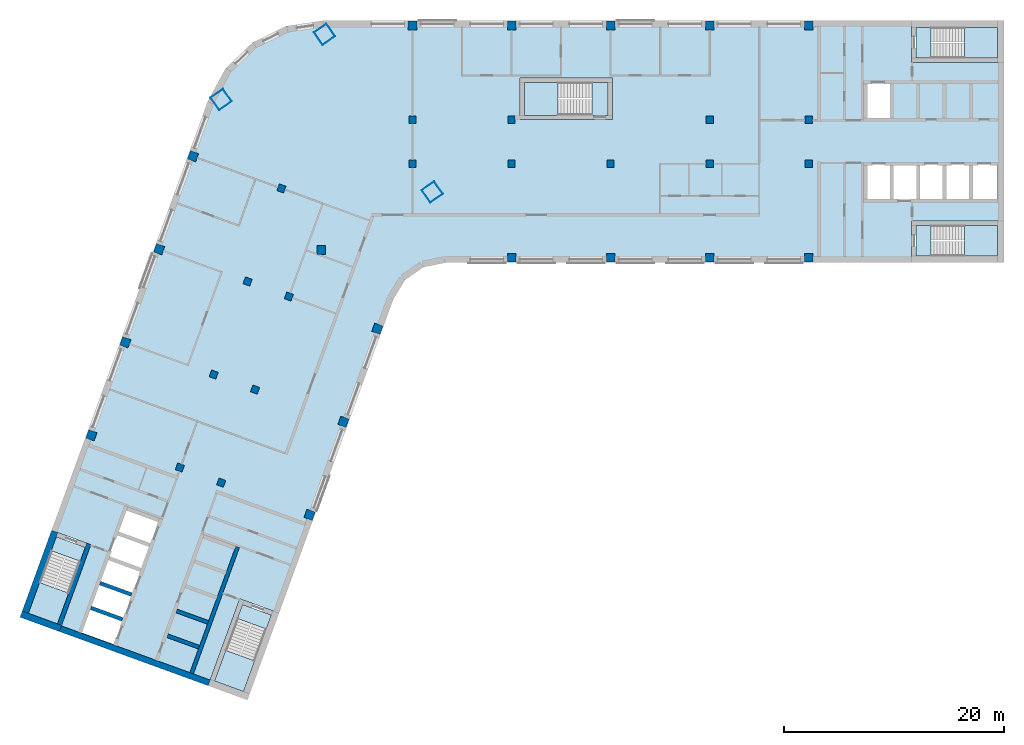
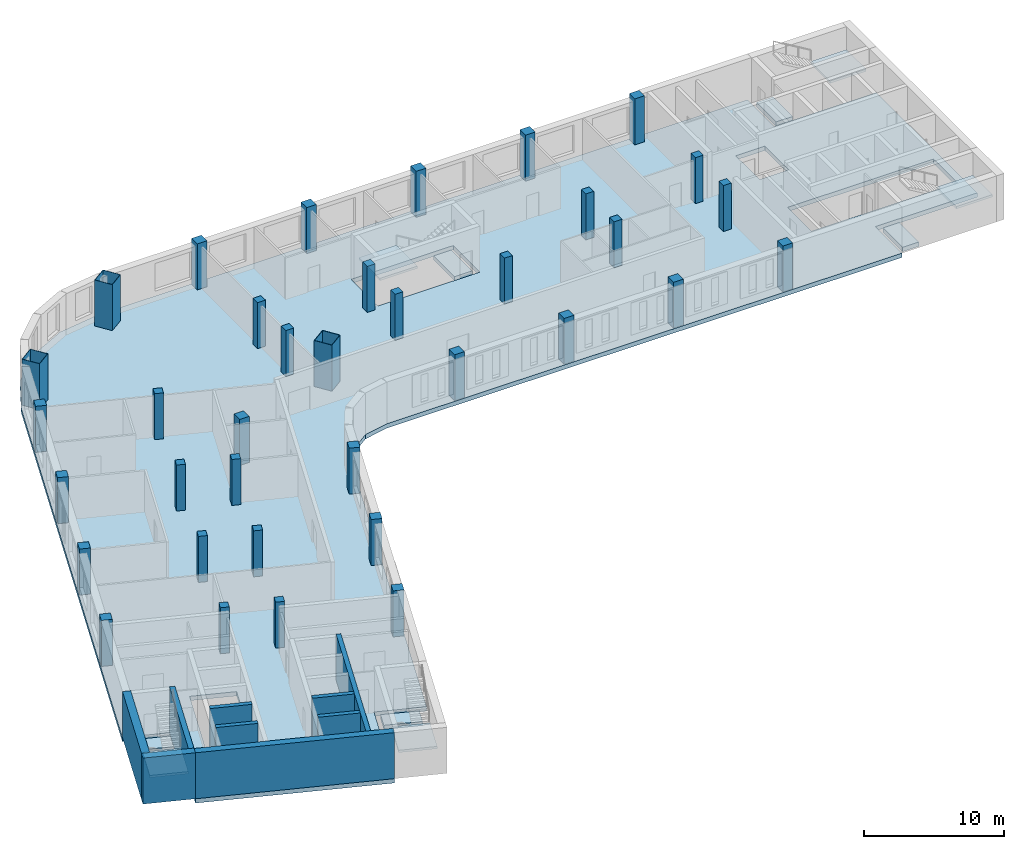
# One storey, part 1 of 8: 36 columns, 11 slabs, 9 walls, 5 elements without a shape of their own.
"""IFC4 building model written with IfcOpenShell, lengths in metres."""

from ifc_helpers import new_model, si_unit, direction, frame, frame_2d, origin, origin_2d, place, context, subcontext, project, spatial, polyline, rectangle, hollow_rectangle, outline, extrude, material, layer, layer_set, material_profile, profile_set, type_object, element, aggregate, save


model = new_model("IFC4")

# Units and contexts
model_context = context("Model", 3, precision=1e-05, world=origin(), true_north=direction((0.0, 1.0)))
body_context = subcontext(model_context, "Body", "Model", "MODEL_VIEW")
ifc_project = project(units=[si_unit("LENGTHUNIT", "METRE"), si_unit("AREAUNIT", "SQUARE_METRE"), si_unit("VOLUMEUNIT", "CUBIC_METRE"), si_unit("PLANEANGLEUNIT", "RADIAN"), si_unit("MASSUNIT", "GRAM", prefix="KILO")], contexts=[model_context])

# Site, building, storey
site_placement = place(None, origin())
site = spatial("IfcSite", under=ifc_project, at=site_placement, CompositionType="ELEMENT")
building_placement = place(site_placement, origin())
building = spatial("IfcBuilding", under=site, at=building_placement, Name="Skarvind Civic Tower", CompositionType="ELEMENT")
storey_placement = place(building_placement, frame((0.0, 0.0, 134.5)))
storey = spatial("IfcBuildingStorey", under=building, at=storey_placement, Name="L31", CompositionType="ELEMENT", Elevation=134.5)

# Columns
ifc_material_1 = material(Name="Concrete C60", Category="concrete")
ifc_material_profile_1 = material_profile(ifc_material_1, rectangle(XDim=0.64990234375, YDim=0.64990234375, at=origin_2d()), Name="RC-650x650")
ifc_profile_set_1 = profile_set([ifc_material_profile_1], Name="Concrete C60")
column_type_1 = type_object("IfcColumnType", Name="Column RC-650x650 C60", PredefinedType="COLUMN", material=ifc_profile_set_1)
for number, where, z_axis, x_axis, name in (
    (1, (54.25, 130.0, 0.0), (0.0, 0.0, 1.0), (1.0, 0.0, 0.0), "Column wing 1 north inner 02 L31"),
    (2, (63.25, 130.0, 0.0), (0.0, 0.0, 1.0), (1.0, 0.0, 0.0), "Column wing 1 north inner 03 L31"),
    (3, (81.25, 130.0, 0.0), (0.0, 0.0, 1.0), (1.0, 0.0, 0.0), "Column wing 1 north inner 05 L31"),
    (4, (90.25, 130.0, 0.0), (0.0, 0.0, 1.0), (1.0, 0.0, 0.0), "Column wing 1 north inner 06 L31"),
    (5, (54.25, 126.0, 0.0), (0.0, 0.0, 1.0), (1.0, 0.0, 0.0), "Column wing 1 south inner 02 L31"),
    (6, (63.25, 126.0, 0.0), (0.0, 0.0, 1.0), (1.0, 0.0, 0.0), "Column wing 1 south inner 03 L31"),
    (7, (72.25, 126.0, 0.0), (0.0, 0.0, 1.0), (1.0, 0.0, 0.0), "Column wing 1 south inner 04 L31"),
    (8, (81.25, 126.0, 0.0), (0.0, 0.0, 1.0), (1.0, 0.0, 0.0), "Column wing 1 south inner 05 L31"),
    (9, (90.25, 126.0, 0.0), (0.0, 0.0, 1.0), (1.0, 0.0, 0.0), "Column wing 1 south inner 06 L31"),
    (10, (43.005615234375, 113.92529296875, 0.0), (0.0, 0.0, 1.0), (-0.342020143326, -0.939692620786, 0.0), "Column wing 2 left inner 02 L31"),
    (11, (39.927490234375, 105.468017578125, 0.0), (0.0, 0.0, 1.0), (-0.342020143326, -0.939692620786, 0.0), "Column wing 2 left inner 03 L31"),
    (12, (36.84912109375, 97.010986328125, 0.0), (0.0, 0.0, 1.0), (-0.342020143326, -0.939692620786, 0.0), "Column wing 2 left inner 04 L31"),
    (13, (42.324951171875, 123.750732421875, 0.0), (0.0, 0.0, 1.0), (-0.342020143326, -0.939692620786, 0.0), "Column wing 2 right inner 01 L31"),
    (14, (39.246826171875, 115.29345703125, 0.0), (0.0, 0.0, 1.0), (-0.342020143326, -0.939692620786, 0.0), "Column wing 2 right inner 02 L31"),
    (15, (36.168701171875, 106.836181640625, 0.0), (0.0, 0.0, 1.0), (-0.342020143326, -0.939692620786, 0.0), "Column wing 2 right inner 03 L31"),
    (16, (33.090576171875, 98.37890625, 0.0), (0.0, 0.0, 1.0), (-0.342020143326, -0.939692620786, 0.0), "Column wing 2 right inner 04 L31"),
):
    element("IfcColumn", number, at=place(storey_placement, frame(where, z_axis=z_axis, x_axis=x_axis)), inside=storey, type_object=column_type_1, Name=name, PredefinedType="COLUMN", context=body_context, shape_type="SweptSolid", body=[
        extrude(rectangle(XDim=0.64990234375, YDim=0.64990234375, at=origin_2d()), origin(), (0.0, 0.0, 1.0), 4.0),
    ])
ifc_material_profile_2 = material_profile(ifc_material_1, rectangle(XDim=0.800048828125, YDim=0.800048828125, at=origin_2d()), Name="RC-800x800")
ifc_profile_set_2 = profile_set([ifc_material_profile_2], Name="Concrete C60")
column_type_2 = type_object("IfcColumnType", Name="Column RC-800x800 C60", PredefinedType="COLUMN", material=ifc_profile_set_2)
for number, where, z_axis, x_axis, name in (
    (17, (54.25, 138.550048828125, 0.0), (0.0, 0.0, 1.0), (1.0, 0.0, 0.0), "Column wing 1 north perimeter 02 L31"),
    (18, (63.25, 138.550048828125, 0.0), (0.0, 0.0, 1.0), (1.0, 0.0, 0.0), "Column wing 1 north perimeter 03 L31"),
    (19, (72.25, 138.550048828125, 0.0), (0.0, 0.0, 1.0), (1.0, 0.0, 0.0), "Column wing 1 north perimeter 04 L31"),
    (20, (81.25, 138.550048828125, 0.0), (0.0, 0.0, 1.0), (1.0, 0.0, 0.0), "Column wing 1 north perimeter 05 L31"),
    (21, (90.25, 138.550048828125, 0.0), (0.0, 0.0, 1.0), (1.0, 0.0, 0.0), "Column wing 1 north perimeter 06 L31"),
    (22, (45.95166015625, 118.151611328125, 0.0), (0.0, 0.0, 1.0), (1.0, 0.0, 0.0), "Column wing 1 south perimeter 01 L31"),
    (23, (63.25, 117.449951171875, 0.0), (0.0, 0.0, 1.0), (1.0, 0.0, 0.0), "Column wing 1 south perimeter 03 L31"),
    (24, (72.25, 117.449951171875, 0.0), (0.0, 0.0, 1.0), (1.0, 0.0, 0.0), "Column wing 1 south perimeter 04 L31"),
    (25, (81.25, 117.449951171875, 0.0), (0.0, 0.0, 1.0), (1.0, 0.0, 0.0), "Column wing 1 south perimeter 05 L31"),
    (26, (90.25, 117.449951171875, 0.0), (0.0, 0.0, 1.0), (1.0, 0.0, 0.0), "Column wing 1 south perimeter 06 L31"),
    (27, (51.0400390625, 111.0009765625, 0.0), (0.0, 0.0, 1.0), (-0.342020143326, -0.939692620786, 0.0), "Column wing 2 left perimeter 02 L31"),
    (28, (47.961669921875, 102.5439453125, 0.0), (0.0, 0.0, 1.0), (-0.342020143326, -0.939692620786, 0.0), "Column wing 2 left perimeter 03 L31"),
    (29, (44.883544921875, 94.086669921875, 0.0), (0.0, 0.0, 1.0), (-0.342020143326, -0.939692620786, 0.0), "Column wing 2 left perimeter 04 L31"),
    (30, (34.29052734375, 126.6748046875, 0.0), (0.0, 0.0, 1.0), (-0.342020143326, -0.939692620786, 0.0), "Column wing 2 right perimeter 01 L31"),
    (31, (31.21240234375, 118.2177734375, 0.0), (0.0, 0.0, 1.0), (-0.342020143326, -0.939692620786, 0.0), "Column wing 2 right perimeter 02 L31"),
    (32, (28.13427734375, 109.760498046875, 0.0), (0.0, 0.0, 1.0), (-0.342020143326, -0.939692620786, 0.0), "Column wing 2 right perimeter 03 L31"),
    (33, (25.05615234375, 101.30322265625, 0.0), (0.0, 0.0, 1.0), (-0.342020143326, -0.939692620786, 0.0), "Column wing 2 right perimeter 04 L31"),
):
    element("IfcColumn", number, at=place(storey_placement, frame(where, z_axis=z_axis, x_axis=x_axis)), inside=storey, type_object=column_type_2, Name=name, PredefinedType="COLUMN", context=body_context, shape_type="SweptSolid", body=[
        extrude(rectangle(XDim=0.800048828125, YDim=0.800048828125, at=origin_2d()), origin(), (0.0, 0.0, 1.0), 4.0),
    ])
ifc_material_2 = material(Name="Composite concrete-filled steel tube, Steel SM355 with Concrete C80", Category="concrete")
ifc_material_profile_3 = material_profile(ifc_material_2, hollow_rectangle(XDim=1.39990234375, YDim=1.39990234375, WallThickness=0.031982421875, at=origin_2d()), Name="BOX-1400x1400x32")
ifc_profile_set_3 = profile_set([ifc_material_profile_3], Name="Composite concrete-filled steel tube, Steel SM355 with Concrete C80")
column_type_3 = type_object("IfcColumnType", Name="Mega column BOX-1400x1400x32 filled C80", PredefinedType="COLUMN", material=ifc_profile_set_3)
for number, where, z_axis, x_axis, name in (
    (34, (36.845947265625, 131.837646484375, 0.0), (0.0, 0.0, 1.0), (0.573576436351, -0.819152044289, 0.0), "Mega column 1 L31"),
    (35, (46.2470703125, 137.762451171875, 0.0), (0.0, 0.0, 1.0), (0.573576436351, -0.819152044289, 0.0), "Mega column 2 L31"),
    (36, (56.0361328125, 123.43017578125, 0.0), (0.0, 0.0, 1.0), (0.573576436351, -0.819152044289, 0.0), "Mega column 4 L31"),
):
    element("IfcColumn", number, at=place(storey_placement, frame(where, z_axis=z_axis, x_axis=x_axis)), inside=storey, type_object=column_type_3, Name=name, PredefinedType="COLUMN", context=body_context, shape_type="SweptSolid", body=[
        extrude(hollow_rectangle(XDim=1.39990234375, YDim=1.39990234375, WallThickness=0.031982421875, at=origin_2d()), origin(), (0.0, 0.0, 1.0), 4.0),
    ])

# Slabs
ifc_material_3 = material(Name="Concrete C50", Category="concrete")
ifc_layer_1 = layer(ifc_material_3, 0.375)
ifc_layer_set_1 = layer_set([ifc_layer_1], Name="Floor slab 375 C50")
slab_type_1 = type_object("IfcSlabType", Name="Floor slab 375 C50", PredefinedType="FLOOR", material=ifc_layer_set_1)
slab_1_placement = place(storey_placement, frame((0.0, 0.0, -0.375)))
element("IfcSlab", 37, at=slab_1_placement, inside=storey, type_object=slab_type_1, Name="Floor slab L31 1", PredefinedType="FLOOR", context=body_context, shape_type="SweptSolid", body=[
    extrude(outline(polyline([(99.60009765625, 117.0), (99.60009765625, 120.800048828125), (108.0, 120.800048828125), (108.0, 135.199951171875), (99.60009765625, 135.199951171875), (99.60009765625, 139.0), (46.095458984375, 139.0), (42.739501953125, 138.5009765625), (39.6943359375, 137.005615234375), (37.24755859375, 134.6552734375), (35.630615234375, 131.672607421875), (19.41748046875, 87.126708984375), (21.435302734375, 92.6708984375), (25.006103515625, 91.371337890625), (22.13330078125, 83.477783203125), (36.886474609375, 78.108154296875), (35.664794921875, 78.552734375), (38.53759765625, 86.4462890625), (42.108642578125, 85.146484375), (40.0908203125, 79.602294921875), (40.0908203125, 79.602294921875), (52.493896484375, 113.68017578125), (53.560791015625, 115.421630859375), (55.23388671875, 116.593017578125), (57.235107421875, 117.0), (99.60009765625, 117.0)]), holes=[polyline([(25.671630859375, 87.9365234375), (26.492431640625, 90.19189453125), (27.313232421875, 92.447021484375), (28.134033203125, 94.702392578125), (31.3291015625, 93.53955078125), (30.50830078125, 91.2841796875), (29.6875, 89.029052734375), (28.866455078125, 86.773681640625), (28.866455078125, 86.773681640625), (28.045654296875, 84.5185546875), (27.224853515625, 82.26318359375), (24.02978515625, 83.426025390625), (24.8505859375, 85.681396484375), (25.671630859375, 87.9365234375), (25.671630859375, 87.9365234375)]), polyline([(64.0, 130.0), (64.0, 133.800048828125), (72.39990234375, 133.800048828125), (72.39990234375, 130.0), (64.0, 130.0)]), polyline([(97.800048828125, 126.0), (100.199951171875, 126.0), (102.60009765625, 126.0), (105.0, 126.0), (107.39990234375, 126.0), (107.39990234375, 122.60009765625), (105.0, 122.60009765625), (102.60009765625, 122.60009765625), (100.199951171875, 122.60009765625), (97.800048828125, 122.60009765625), (95.39990234375, 122.60009765625), (95.39990234375, 126.0), (97.800048828125, 126.0)]), polyline([(97.800048828125, 133.39990234375), (97.800048828125, 130.0), (95.39990234375, 130.0), (95.39990234375, 133.39990234375), (97.800048828125, 133.39990234375)])]), origin(), (0.0, 0.0, 1.0), 0.375),
])
ifc_material_4 = material(Name="Concrete C40/50", Category="concrete")
ifc_layer_2 = layer(ifc_material_4, 0.375)
ifc_layer_set_2 = layer_set([ifc_layer_2], Name="Stair floor landing slab 375")
slab_type_2 = type_object("IfcSlabType", Name="Stair floor landing slab 375", PredefinedType="LANDING", material=ifc_layer_set_2)
slab_2_placement = place(storey_placement, frame((0.0, 0.0, -0.375)))
element("IfcSlab", 38, at=slab_2_placement, inside=storey, type_object=slab_type_2, Name="Stair floor landing", PredefinedType="LANDING", context=body_context, shape_type="SweptSolid", body=[
    extrude(outline(polyline([(101.3505859375, 138.400634765625), (101.3505859375, 135.599365234375), (99.99951171875, 135.599365234375), (99.99951171875, 138.400634765625), (101.3505859375, 138.400634765625)])), origin(), (0.0, 0.0, 1.0), 0.375),
])
slab_3_placement = place(storey_placement, frame((0.0, 0.0, -0.375)))
element("IfcSlab", 39, at=slab_3_placement, inside=storey, type_object=slab_type_2, Name="Stair floor landing", PredefinedType="LANDING", context=body_context, shape_type="SweptSolid", body=[
    extrude(outline(polyline([(101.3505859375, 120.400634765625), (101.3505859375, 117.599365234375), (99.99951171875, 117.599365234375), (99.99951171875, 120.400634765625), (101.3505859375, 120.400634765625)])), origin(), (0.0, 0.0, 1.0), 0.375),
])
slab_4_placement = place(storey_placement, frame((0.0, 0.0, -0.375)))
element("IfcSlab", 40, at=slab_4_placement, inside=storey, type_object=slab_type_2, Name="Stair floor landing", PredefinedType="LANDING", context=body_context, shape_type="SweptSolid", body=[
    extrude(outline(polyline([(40.946533203125, 83.70654296875), (38.314208984375, 84.66455078125), (38.7763671875, 85.934326171875), (41.40869140625, 84.976318359375), (40.946533203125, 83.70654296875)])), origin(), (0.0, 0.0, 1.0), 0.375),
])
slab_5_placement = place(storey_placement, frame((0.0, 0.0, -0.375)))
element("IfcSlab", 41, at=slab_5_placement, inside=storey, type_object=slab_type_2, Name="Stair floor landing", PredefinedType="LANDING", context=body_context, shape_type="SweptSolid", body=[
    extrude(outline(polyline([(24.0322265625, 89.863037109375), (21.39990234375, 90.821044921875), (21.862060546875, 92.090576171875), (24.494384765625, 91.132568359375), (24.0322265625, 89.863037109375)])), origin(), (0.0, 0.0, 1.0), 0.375),
])
slab_6_placement = place(storey_placement, frame((0.0, 0.0, -0.375)))
element("IfcSlab", 42, at=slab_6_placement, inside=storey, type_object=slab_type_2, Name="Stair floor landing", PredefinedType="LANDING", context=body_context, shape_type="SweptSolid", body=[
    extrude(outline(polyline([(70.54931640625, 130.3994140625), (70.54931640625, 133.400634765625), (72.00048828125, 133.400634765625), (72.00048828125, 130.3994140625), (70.54931640625, 130.3994140625)])), origin(), (0.0, 0.0, 1.0), 0.375),
])

# Stair, slab
stair_type_1 = type_object("IfcStairType", Name="Exit stair, half-turn, concrete", PredefinedType="HALF_TURN_STAIR", material=ifc_material_4)
stair_1_placement = place(storey_placement, origin())
stair_1 = element("IfcStair", 43, at=stair_1_placement, inside=storey, type_object=stair_type_1, Name="Exit stair C1S", PredefinedType="HALF_TURN_STAIR")
ifc_layer_3 = layer(ifc_material_4, 0.199951171875)
ifc_layer_set_3 = layer_set([ifc_layer_3], Name="Stair half landing slab")
slab_type_3 = type_object("IfcSlabType", Name="Stair half landing slab", PredefinedType="LANDING", material=ifc_layer_set_3)
slab_7_placement = place(storey_placement, frame((0.0, 0.0, 1.800048828125)))
slab_7 = element("IfcSlab", 44, at=slab_7_placement, type_object=slab_type_3, Name="ST-C1S landing 1", PredefinedType="LANDING", context=body_context, shape_type="SweptSolid", body=[
    extrude(outline(polyline([(104.429443359375, 135.599365234375), (104.429443359375, 138.400634765625), (107.400634765625, 138.400634765625), (107.400634765625, 135.599365234375), (104.429443359375, 135.599365234375)])), origin(), (0.0, 0.0, 1.0), 0.199951171875),
])
aggregate(stair_1, [slab_7])

stair_2_placement = place(storey_placement, origin())
stair_2 = element("IfcStair", 45, at=stair_2_placement, inside=storey, type_object=stair_type_1, Name="Exit stair C1N", PredefinedType="HALF_TURN_STAIR")
slab_8_placement = place(storey_placement, frame((0.0, 0.0, 1.800048828125)))
slab_8 = element("IfcSlab", 46, at=slab_8_placement, type_object=slab_type_3, Name="ST-C1N landing 1", PredefinedType="LANDING", context=body_context, shape_type="SweptSolid", body=[
    extrude(outline(polyline([(104.429443359375, 117.599365234375), (104.429443359375, 120.400634765625), (107.400634765625, 120.400634765625), (107.400634765625, 117.599365234375), (104.429443359375, 117.599365234375)])), origin(), (0.0, 0.0, 1.0), 0.199951171875),
])
aggregate(stair_2, [slab_8])

stair_3_placement = place(storey_placement, origin())
stair_3 = element("IfcStair", 47, at=stair_3_placement, inside=storey, type_object=stair_type_1, Name="Exit stair C2S", PredefinedType="HALF_TURN_STAIR")
slab_9_placement = place(storey_placement, frame((0.0, 0.0, 1.800048828125)))
slab_9 = element("IfcSlab", 48, at=slab_9_placement, type_object=slab_type_3, Name="ST-C2S landing 1", PredefinedType="LANDING", context=body_context, shape_type="SweptSolid", body=[
    extrude(outline(polyline([(37.26123046875, 81.771484375), (39.8935546875, 80.8134765625), (38.87744140625, 78.021484375), (36.2451171875, 78.9794921875), (37.26123046875, 81.771484375)])), origin(), (0.0, 0.0, 1.0), 0.199951171875),
])
aggregate(stair_3, [slab_9])

stair_4_placement = place(storey_placement, origin())
stair_4 = element("IfcStair", 49, at=stair_4_placement, inside=storey, type_object=stair_type_1, Name="Exit stair C2N", PredefinedType="HALF_TURN_STAIR")
slab_10_placement = place(storey_placement, frame((0.0, 0.0, 1.800048828125)))
slab_10 = element("IfcSlab", 50, at=slab_10_placement, type_object=slab_type_3, Name="ST-C2N landing 1", PredefinedType="LANDING", context=body_context, shape_type="SweptSolid", body=[
    extrude(outline(polyline([(20.346923828125, 87.927734375), (22.97900390625, 86.9697265625), (21.962890625, 84.177734375), (19.33056640625, 85.1357421875), (20.346923828125, 87.927734375)])), origin(), (0.0, 0.0, 1.0), 0.199951171875),
])
aggregate(stair_4, [slab_10])

stair_type_2 = type_object("IfcStairType", Name="Exit stair 1450, half-turn, concrete", PredefinedType="HALF_TURN_STAIR", material=ifc_material_4)
stair_5_placement = place(storey_placement, origin())
stair_5 = element("IfcStair", 51, at=stair_5_placement, inside=storey, type_object=stair_type_2, Name="Exit stair CM", PredefinedType="HALF_TURN_STAIR")
slab_11_placement = place(storey_placement, frame((0.0, 0.0, 1.800048828125)))
slab_11 = element("IfcSlab", 52, at=slab_11_placement, type_object=slab_type_3, Name="ST-CM landing 1", PredefinedType="LANDING", context=body_context, shape_type="SweptSolid", body=[
    extrude(outline(polyline([(67.470703125, 133.400634765625), (67.470703125, 130.3994140625), (64.3994140625, 130.3994140625), (64.3994140625, 133.400634765625), (67.470703125, 133.400634765625)])), origin(), (0.0, 0.0, 1.0), 0.199951171875),
])
aggregate(stair_5, [slab_11])

# Walls
ifc_layer_4 = layer(ifc_material_1, 0.35009765625)
ifc_layer_set_4 = layer_set([ifc_layer_4], Name="Core wall 350 C60")
wall_type_1 = type_object("IfcWallType", Name="Core wall 350 C60", PredefinedType="SHEAR", material=ifc_layer_set_4)
wall_1_placement = place(storey_placement, frame((34.161376953125, 79.685302734375, 0.0), z_axis=(0.0, 0.0, 1.0), x_axis=(0.34201563943, 0.939694260058, 0.0)))
element("IfcWall", 53, at=wall_1_placement, inside=storey, type_object=wall_type_1, Name="Core wall C2 south lift row back L31", PredefinedType="SHEAR", context=body_context, shape_type="SweptSolid", body=[
    extrude(rectangle(XDim=12.22509765625, YDim=0.35009765625, at=frame_2d((6.112548828125, 0.0))), origin(), (0.0, 0.0, 1.0), 4.0),
])
wall_2_placement = place(storey_placement, frame((34.8349609375, 82.04736328125, 0.0), z_axis=(0.0, 0.0, 1.0), x_axis=(-0.939683528043, 0.3420451244, 0.0)))
element("IfcWall", 54, at=wall_2_placement, inside=storey, type_object=wall_type_1, Name="Core wall C2 south lift row division 1 L31", PredefinedType="SHEAR", context=body_context, shape_type="SweptSolid", body=[
    extrude(rectangle(XDim=3.050048828125, YDim=0.35009765625, at=frame_2d((1.52490234375, 0.0))), origin(), (0.0, 0.0, 1.0), 4.0),
])
wall_3_placement = place(storey_placement, frame((35.65576171875, 84.302734375, 0.0), z_axis=(0.0, 0.0, 1.0), x_axis=(-0.939709254651, 0.341974438698, 0.0)))
element("IfcWall", 55, at=wall_3_placement, inside=storey, type_object=wall_type_1, Name="Core wall C2 south lift row division 2 L31", PredefinedType="SHEAR", context=body_context, shape_type="SweptSolid", body=[
    extrude(rectangle(XDim=3.0498046875, YDim=0.35009765625, at=frame_2d((1.52490234375, 0.0))), origin(), (0.0, 0.0, 1.0), 4.0),
])
for number, where, z_axis, x_axis, name in (
    (56, (27.881103515625, 84.578369140625, 0.0), (0.0, 0.0, 1.0), (-0.939683528043, 0.3420451244, 0.0), "Core wall C2 north lift row division 1 L31"),
    (57, (28.7021484375, 86.83349609375, 0.0), (0.0, 0.0, 1.0), (-0.939692892192, 0.342019397644, 0.0), "Core wall C2 north lift row division 2 L31"),
):
    element("IfcWall", number, at=place(storey_placement, frame(where, z_axis=z_axis, x_axis=x_axis)), inside=storey, type_object=wall_type_1, Name=name, PredefinedType="SHEAR", context=body_context, shape_type="SweptSolid", body=[
        extrude(rectangle(XDim=3.050048828125, YDim=0.35009765625, at=frame_2d((1.52490234375, 0.0))), origin(), (0.0, 0.0, 1.0), 4.0),
    ])
ifc_layer_5 = layer(ifc_material_1, 0.39990234375)
ifc_layer_set_5 = layer_set([ifc_layer_5], Name="Core wall 400 C60")
wall_type_2 = type_object("IfcWallType", Name="Core wall 400 C60", PredefinedType="SHEAR", material=ifc_layer_set_5)
wall_4_placement = place(storey_placement, frame((22.150390625, 84.110107421875, 0.0), z_axis=(0.0, 0.0, 1.0), x_axis=(0.342016982193, 0.939693771338, 0.0)))
element("IfcWall", 58, at=wall_4_placement, inside=storey, type_object=wall_type_2, Name="Core wall C2 north stair inner L31", PredefinedType="SHEAR", context=body_context, shape_type="SweptSolid", body=[
    extrude(rectangle(XDim=7.800048828125, YDim=0.39990234375, at=frame_2d((3.89990234375, 0.0))), origin(), (0.0, 0.0, 1.0), 4.0),
])
ifc_layer_6 = layer(ifc_material_1, 0.550048828125)
ifc_layer_set_6 = layer_set([ifc_layer_6], Name="Core wall 550 C60")
wall_type_3 = type_object("IfcWallType", Name="Core wall 550 C60", PredefinedType="SHEAR", material=ifc_layer_set_6)
wall_5_placement = place(storey_placement, frame((35.7587890625, 78.811279296875, 0.0), z_axis=(0.0, 0.0, 1.0), x_axis=(-0.939692894512, 0.342019391267, 0.0)))
element("IfcWall", 59, at=wall_5_placement, inside=storey, type_object=wall_type_3, Name="Core wall C2 tip between the stairs L31", PredefinedType="SHEAR", context=body_context, shape_type="SweptSolid", body=[
    extrude(rectangle(XDim=14.39990234375, YDim=0.550048828125, at=frame_2d((7.199951171875, 0.0))), origin(), (0.0, 0.0, 1.0), 4.0),
])
ifc_layer_7 = layer(ifc_material_1, 0.60009765625)
ifc_layer_set_7 = layer_set([ifc_layer_7], Name="Core wall 600 C60")
wall_type_4 = type_object("IfcWallType", Name="Core wall 600 C60", PredefinedType="SHEAR", material=ifc_layer_set_7)
wall_6_placement = place(storey_placement, frame((22.23583984375, 83.759765625, 0.0), z_axis=(0.0, 0.0, 1.0), x_axis=(-0.939680822529, 0.342052557032, 0.0)))
element("IfcWall", 60, at=wall_6_placement, inside=storey, type_object=wall_type_4, Name="Core wall C2 tip at the north stair L31", PredefinedType="SHEAR", context=body_context, shape_type="SweptSolid", body=[
    extrude(rectangle(XDim=3.800048828125, YDim=0.60009765625, at=frame_2d((1.89990234375, 0.0))), origin(), (0.0, 0.0, 1.0), 4.0),
])
wall_7_placement = place(storey_placement, frame((19.049560546875, 85.23876953125, 0.0), z_axis=(0.0, 0.0, 1.0), x_axis=(0.342016982193, 0.939693771338, 0.0)))
element("IfcWall", 61, at=wall_7_placement, inside=storey, type_object=wall_type_4, Name="Core wall C2 north side at the stair L31", PredefinedType="SHEAR", context=body_context, shape_type="SweptSolid", body=[
    extrude(rectangle(XDim=7.800048828125, YDim=0.60009765625, at=frame_2d((3.89990234375, 0.0))), origin(), (0.0, 0.0, 1.0), 4.0),
])

save(model, "model.ifc")
